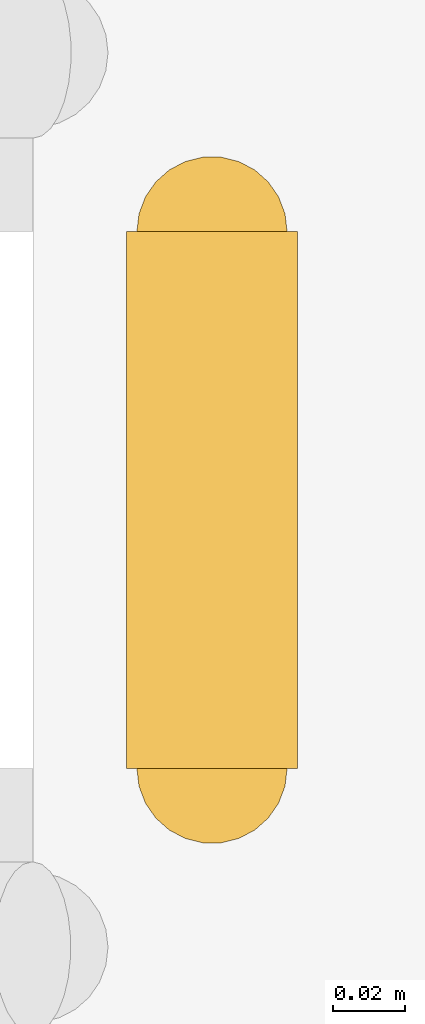
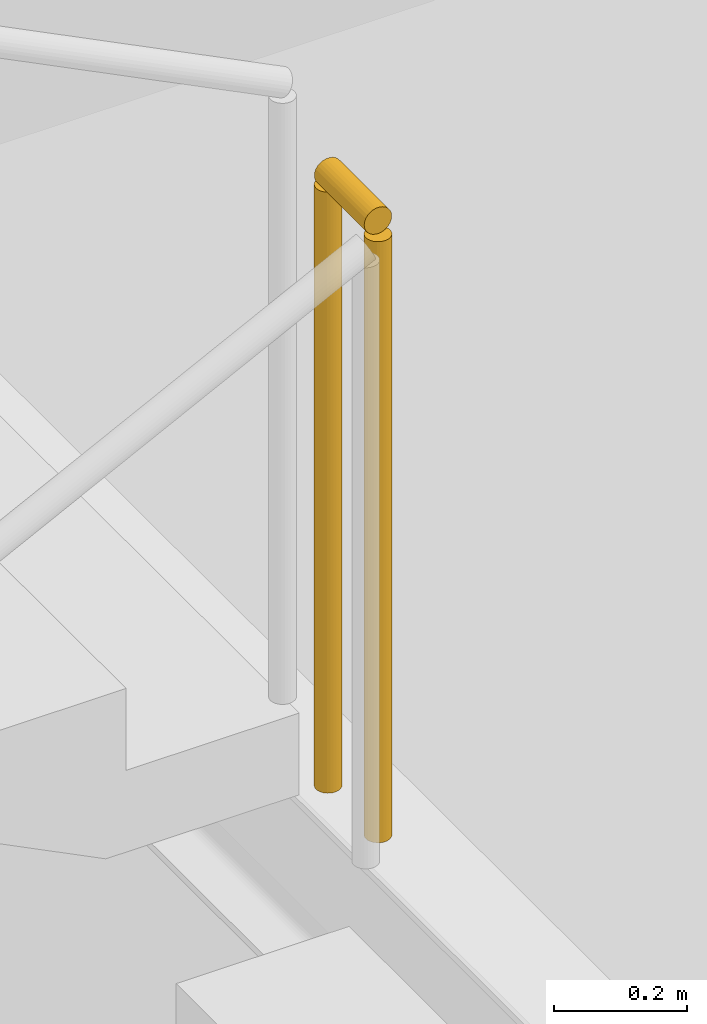
# One storey, part 23 of 28: 1 railing.
"""IFC4 building model written with IfcOpenShell, lengths in metres."""

from ifc_helpers import new_model, si_unit, direction, frame, origin, origin_2d, place, context, subcontext, project, spatial, circle, extrude, material, type_object, element, save


model = new_model("IFC4")

# Units and contexts
model_context = context("Model", 3, precision=1e-05, world=origin(), true_north=direction((0.0, 1.0)))
body_context = subcontext(model_context, "Body", "Model", "MODEL_VIEW")
ifc_project = project(units=[si_unit("LENGTHUNIT", "METRE"), si_unit("AREAUNIT", "SQUARE_METRE"), si_unit("VOLUMEUNIT", "CUBIC_METRE"), si_unit("PLANEANGLEUNIT", "RADIAN"), si_unit("MASSUNIT", "GRAM", prefix="KILO")], contexts=[model_context])

# Site, building, storey
site_placement = place(None, origin())
site = spatial("IfcSite", under=ifc_project, at=site_placement, CompositionType="ELEMENT")
building_placement = place(site_placement, origin())
building = spatial("IfcBuilding", under=site, at=building_placement, Name="Punatoya Terracotta Tower", CompositionType="ELEMENT")
storey_placement = place(building_placement, frame((0.0, 0.0, 317.39990234375)))
storey = spatial("IfcBuildingStorey", under=building, at=storey_placement, Name="L75", CompositionType="ELEMENT", Elevation=317.39990234375)

# Railing
ifc_material = material(Name="Steel S355", Category="steel")
railing_type = type_object("IfcRailingType", Name="RLG-GRD-1150", PredefinedType="GUARDRAIL", material=ifc_material)
railing_placement = place(storey_placement, frame((1.050048828125, 7.0, 2.10009765625)))
element("IfcRailing", 1, at=railing_placement, inside=storey, type_object=railing_type, Name="L75 ST-3 stair guard 2", PredefinedType="GUARDRAIL", context=body_context, shape_type="SweptSolid", body=[
    extrude(circle(Radius=0.02392578125, at=origin_2d()), frame((0.0, 0.0, 1.1259765625), z_axis=(0.0, 1.0, 0.0), x_axis=(-1.0, 0.0, 0.0)), (0.0, 0.0, 1.0), 0.14990234375),
    extrude(circle(Radius=0.02099609375, at=origin_2d()), origin(), (0.0, 0.0, 1.0), 1.101806640625),
    extrude(circle(Radius=0.02099609375, at=origin_2d()), frame((0.0, 0.14990234375, 0.0)), (0.0, 0.0, 1.0), 1.101806640625),
])

save(model, "model.ifc")
